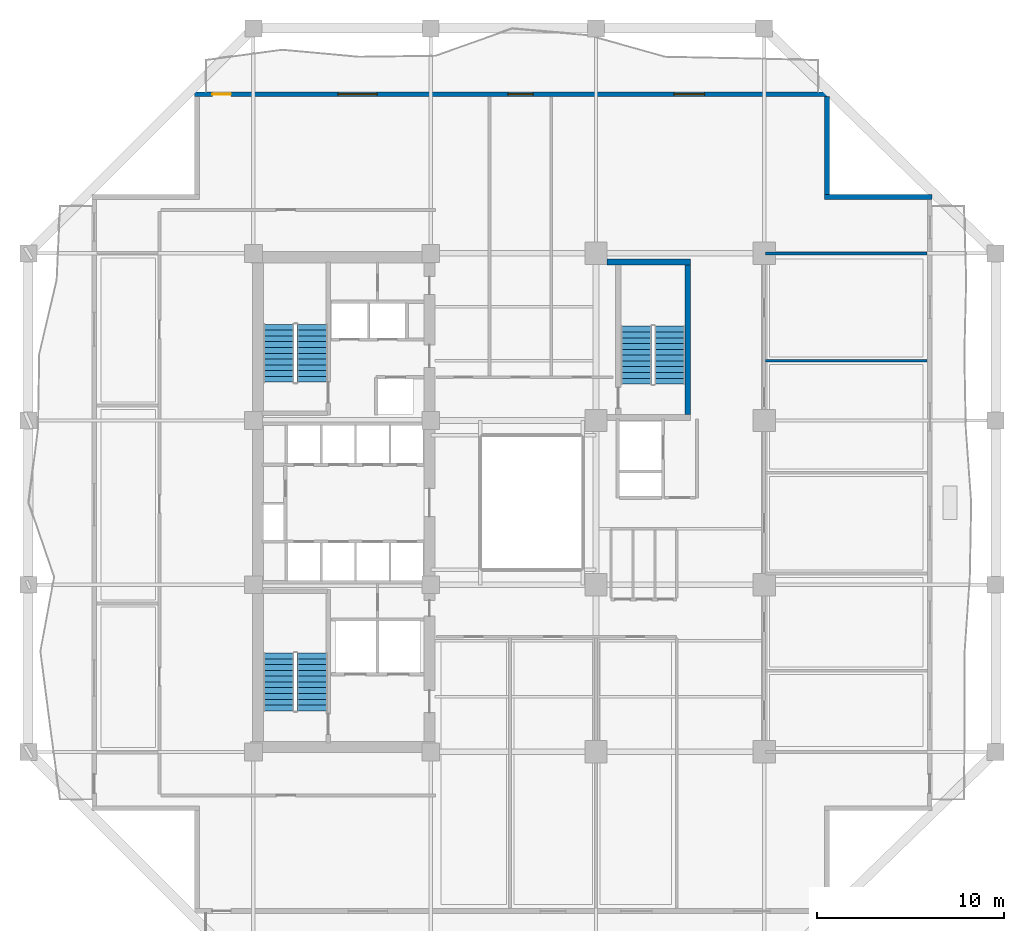
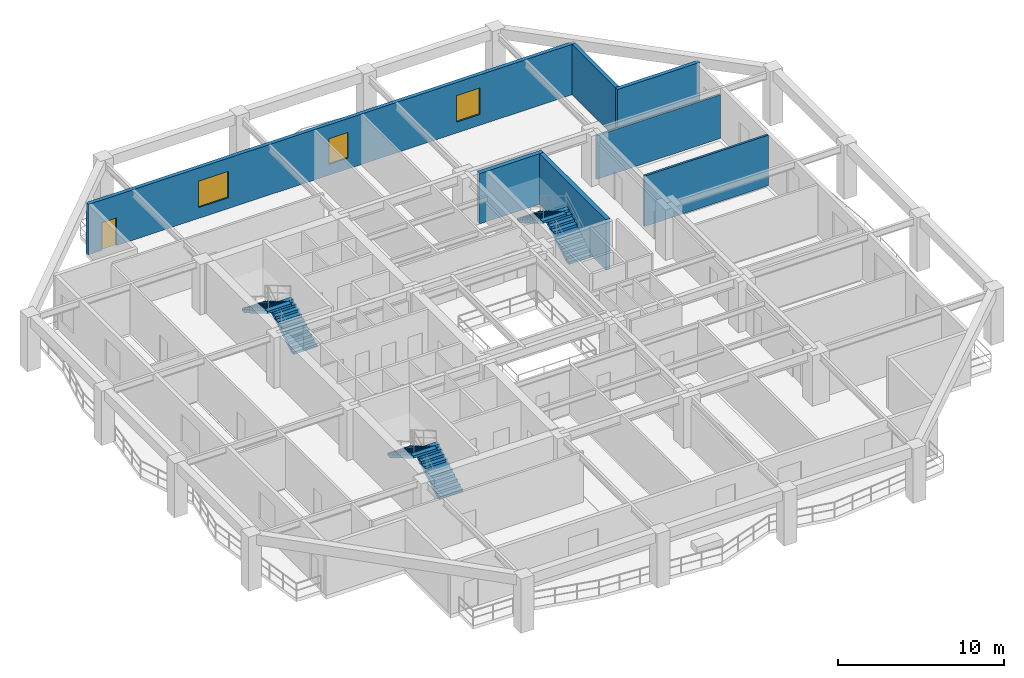
# One storey, part 6 of 13: 7 walls, 6 stair flights, 3 windows, 1 door, 4 openings, 3 elements without a shape of their own.
"""IFC4 building model written with IfcOpenShell, lengths in metres."""

from ifc_helpers import new_model, si_unit, direction, frame, frame_2d, origin, place, context, subcontext, project, spatial, polyline, rectangle, outline, extrude, material, layer, layer_set, type_object, element, fill, aggregate, save


model = new_model("IFC4")

# Units and contexts
model_context = context("Model", 3, precision=1e-05, world=origin(), true_north=direction((0.0, 1.0)))
body_context = subcontext(model_context, "Body", "Model", "MODEL_VIEW")
ifc_project = project(units=[si_unit("LENGTHUNIT", "METRE"), si_unit("AREAUNIT", "SQUARE_METRE"), si_unit("VOLUMEUNIT", "CUBIC_METRE"), si_unit("PLANEANGLEUNIT", "RADIAN"), si_unit("MASSUNIT", "GRAM", prefix="KILO")], contexts=[model_context])

# Site, building, storey
site_placement = place(None, origin())
site = spatial("IfcSite", under=ifc_project, at=site_placement, CompositionType="ELEMENT")
building_placement = place(site_placement, origin())
building = spatial("IfcBuilding", under=site, at=building_placement, Name="Kundavana Baori Tower", CompositionType="ELEMENT")
storey_placement = place(building_placement, frame((0.0, 0.0, 58.0)))
storey = spatial("IfcBuildingStorey", under=building, at=storey_placement, Name="L13", CompositionType="ELEMENT", Elevation=58.0)

# Walls
ifc_material_1 = material(Name="Kiln-Fired Terracotta Brick-Slip Masonry on Concrete C40/50", Category="masonry")
ifc_layer_1 = layer(ifc_material_1, 0.260009765625, Name="WL-EXT-BRK-260")
ifc_layer_set_1 = layer_set([ifc_layer_1], Name="Kiln-Fired Terracotta Brick-Slip Masonry on Concrete C40/50")
wall_type_1 = type_object("IfcWallType", Name="WL-EXT-BRK-260", PredefinedType="SOLIDWALL", material=ifc_layer_set_1)
wall_1_placement = place(storey_placement, frame((51.800048828125, 44.969970703125, 0.0), z_axis=(0.0, 0.0, 1.0), x_axis=(-1.0, 0.0, 0.0)))
element("IfcWall", 1, at=wall_1_placement, inside=storey, type_object=wall_type_1, Name="L13 Exterior Insulated Facade Wall 05", PredefinedType="SOLIDWALL", context=body_context, shape_type="SweptSolid", body=[
    extrude(rectangle(XDim=5.760009765625, YDim=0.260009765625, at=frame_2d((2.8798828125, 0.0))), origin(), (0.0, 0.0, 1.0), 3.719970703125),
])
wall_2_placement = place(storey_placement, frame((46.169921875, 45.10009765625, 0.0), z_axis=(0.0, 0.0, 1.0), x_axis=(0.0, 1.0, 0.0)))
element("IfcWall", 2, at=wall_2_placement, inside=storey, type_object=wall_type_1, Name="L13 Exterior Insulated Facade Wall 06", PredefinedType="SOLIDWALL", context=body_context, shape_type="SweptSolid", body=[
    extrude(rectangle(XDim=5.239990234375, YDim=0.260009765625, at=frame_2d((2.6201171875, 0.0))), origin(), (0.0, 0.0, 1.0), 3.719970703125),
])

# Wall, openings, door, windows
wall_3_placement = place(storey_placement, frame((46.300048828125, 50.469970703125, 0.0), z_axis=(0.0, 0.0, 1.0), x_axis=(-1.0, 0.0, 0.0)))
wall_3 = element("IfcWall", 3, at=wall_3_placement, inside=storey, type_object=wall_type_1, Name="L13 Exterior Insulated Facade Wall 07", PredefinedType="SOLIDWALL", context=body_context, shape_type="SweptSolid", body=[
    extrude(rectangle(XDim=34.0, YDim=0.260009765625, at=frame_2d((17.0, 0.0))), origin(), (0.0, 0.0, 1.0), 3.719970703125),
])
opening_1_placement = place(wall_3_placement, frame((32.050048828125, 0.0, 0.0)))
opening_1 = element("IfcOpeningElement", 4, at=opening_1_placement, cuts=wall_3, Name="Opening BD-1", PredefinedType="OPENING", context=body_context, shape_type="SweptSolid", body=[
    extrude(rectangle(XDim=1.0, YDim=2.050048828125, at=frame_2d((0.5, 1.02490234375))), frame((0.0, 0.14013671875, 0.0), z_axis=(0.0, -1.0, 0.0), x_axis=(1.0, 0.0, 0.0)), (0.0, 0.0, 1.0), 0.280029296875),
])
opening_2_placement = place(wall_3_placement, frame((24.219970703125, 0.0, 0.800048828125)))
opening_2 = element("IfcOpeningElement", 5, at=opening_2_placement, cuts=wall_3, Name="Opening W-05", PredefinedType="OPENING", context=body_context, shape_type="SweptSolid", body=[
    extrude(rectangle(XDim=2.10009765625, YDim=1.949951171875, at=frame_2d((1.050048828125, 0.97509765625))), frame((0.0, 0.14013671875, 0.0), z_axis=(0.0, -1.0, 0.0), x_axis=(1.0, 0.0, 0.0)), (0.0, 0.0, 1.0), 0.280029296875),
])
opening_3_placement = place(wall_3_placement, frame((15.875, 0.0, 0.800048828125)))
opening_3 = element("IfcOpeningElement", 6, at=opening_3_placement, cuts=wall_3, Name="Opening W-07", PredefinedType="OPENING", context=body_context, shape_type="SweptSolid", body=[
    extrude(rectangle(XDim=1.35009765625, YDim=1.89990234375, at=frame_2d((0.675048828125, 0.949951171875))), frame((0.0, 0.14013671875, 0.0), z_axis=(0.0, -1.0, 0.0), x_axis=(1.0, 0.0, 0.0)), (0.0, 0.0, 1.0), 0.280029296875),
])
opening_4_placement = place(wall_3_placement, frame((6.679931640625, 0.0, 0.800048828125)))
opening_4 = element("IfcOpeningElement", 7, at=opening_4_placement, cuts=wall_3, Name="Opening W-08", PredefinedType="OPENING", context=body_context, shape_type="SweptSolid", body=[
    extrude(rectangle(XDim=1.64990234375, YDim=1.949951171875, at=frame_2d((0.824951171875, 0.97509765625))), frame((0.0, 0.14013671875, 0.0), z_axis=(0.0, -1.0, 0.0), x_axis=(1.0, 0.0, 0.0)), (0.0, 0.0, 1.0), 0.280029296875),
])
ifc_material_2 = material(Name="Architectural Patinated Bronze Metalwork")
door_type = type_object("IfcDoorType", Name="DR-EXT-LOG-1000", OperationType="NOTDEFINED", PredefinedType="DOOR", material=ifc_material_2)
door_placement = place(opening_1_placement, frame((1.0, 0.0, 0.0), z_axis=(0.0, 0.0, 1.0), x_axis=(-1.0, 0.0, 0.0)))
door = element("IfcDoor", 8, at=door_placement, inside=storey, type_object=door_type, Name="L13 Loggia Balcony Access Door N", OperationType="SINGLE_SWING_LEFT", OverallHeight=2.050048828125, OverallWidth=1.0, PredefinedType="DOOR", context=body_context, shape_type="SweptSolid", body=[
    extrude(rectangle(XDim=1.0, YDim=2.050048828125, at=frame_2d((0.5, 1.02490234375))), frame((0.0, 0.02490234375, 0.0), z_axis=(0.0, -1.0, 0.0), x_axis=(1.0, 0.0, 0.0)), (0.0, 0.0, 1.0), 0.050048828125),
])
fill(opening_1, door)
ifc_material_3 = material(Name="Double-Glazed Solar-Control Low-E Insulated Glass", Category="glass")
window_type_1 = type_object("IfcWindowType", Name="WIN-LOG-1350x1900", PartitioningType="SINGLE_PANEL", PredefinedType="WINDOW", material=ifc_material_3)
window_1_placement = place(opening_3_placement, origin())
window_1 = element("IfcWindow", 9, at=window_1_placement, inside=storey, type_object=window_type_1, Name="L13 Recessed Loggia Window N-2", OverallHeight=1.89990234375, OverallWidth=1.35009765625, PartitioningType="SINGLE_PANEL", PredefinedType="WINDOW", context=body_context, shape_type="SweptSolid", body=[
    extrude(rectangle(XDim=1.35009765625, YDim=1.89990234375, at=frame_2d((0.675048828125, 0.949951171875))), frame((0.0, 0.030029296875, 0.0), z_axis=(0.0, -1.0, 0.0), x_axis=(1.0, 0.0, 0.0)), (0.0, 0.0, 1.0), 0.06005859375),
])
fill(opening_3, window_1)
ifc_material_4 = material(Name="Double-Glazed Solar-Control Low-E Insulated Glass", Category="glass")
window_type_2 = type_object("IfcWindowType", Name="WIN-LOG-1650x1950", PartitioningType="SINGLE_PANEL", PredefinedType="WINDOW", material=ifc_material_4)
window_2_placement = place(opening_4_placement, origin())
window_2 = element("IfcWindow", 10, at=window_2_placement, inside=storey, type_object=window_type_2, Name="L13 Recessed Loggia Window N-3", OverallHeight=1.949951171875, OverallWidth=1.64990234375, PartitioningType="SINGLE_PANEL", PredefinedType="WINDOW", context=body_context, shape_type="SweptSolid", body=[
    extrude(rectangle(XDim=1.64990234375, YDim=1.949951171875, at=frame_2d((0.824951171875, 0.97509765625))), frame((0.0, 0.030029296875, 0.0), z_axis=(0.0, -1.0, 0.0), x_axis=(1.0, 0.0, 0.0)), (0.0, 0.0, 1.0), 0.06005859375),
])
fill(opening_4, window_2)
ifc_material_5 = material(Name="Double-Glazed Solar-Control Low-E Insulated Glass", Category="glass")
window_type_3 = type_object("IfcWindowType", Name="WIN-LOG-2100x1950", PartitioningType="SINGLE_PANEL", PredefinedType="WINDOW", material=ifc_material_5)
window_3_placement = place(opening_2_placement, origin())
window_3 = element("IfcWindow", 11, at=window_3_placement, inside=storey, type_object=window_type_3, Name="L13 Recessed Loggia Window N-1", OverallHeight=1.949951171875, OverallWidth=2.10009765625, PartitioningType="SINGLE_PANEL", PredefinedType="WINDOW", context=body_context, shape_type="SweptSolid", body=[
    extrude(rectangle(XDim=2.10009765625, YDim=1.949951171875, at=frame_2d((1.050048828125, 0.97509765625))), frame((0.0, 0.030029296875, 0.0), z_axis=(0.0, -1.0, 0.0), x_axis=(1.0, 0.0, 0.0)), (0.0, 0.0, 1.0), 0.06005859375),
])
fill(opening_2, window_3)

# Walls
ifc_material_6 = material(Name="Fire-Rated Gypsum Drywall on Galvanised Steel Studs", Category="steel")
ifc_layer_2 = layer(ifc_material_6, 0.14990234375, Name="WL-PART-150")
ifc_layer_set_2 = layer_set([ifc_layer_2], Name="Fire-Rated Gypsum Drywall on Galvanised Steel Studs")
wall_type_2 = type_object("IfcWallType", Name="WL-PART-150", PredefinedType="PARTITIONING", material=ifc_layer_set_2)
wall_4_placement = place(storey_placement, frame((42.8798828125, 41.949951171875, 0.0), z_axis=(0.0, 0.0, 1.0), x_axis=(1.0, 0.0, 0.0)))
element("IfcWall", 12, at=wall_4_placement, inside=storey, type_object=wall_type_2, Name="WL-L13-OFEN", PredefinedType="PARTITIONING", context=body_context, shape_type="SweptSolid", body=[
    extrude(rectangle(XDim=8.64013671875, YDim=0.14990234375, at=frame_2d((4.320068359375, 0.0))), origin(), (0.0, 0.0, 1.0), 3.219970703125),
])
wall_5_placement = place(storey_placement, frame((42.8798828125, 36.199951171875, 0.0), z_axis=(0.0, 0.0, 1.0), x_axis=(1.0, 0.0, 0.0)))
element("IfcWall", 13, at=wall_5_placement, inside=storey, type_object=wall_type_2, Name="WL-L13-ED4", PredefinedType="PARTITIONING", context=body_context, shape_type="SweptSolid", body=[
    extrude(rectangle(XDim=8.64013671875, YDim=0.14990234375, at=frame_2d((4.320068359375, 0.0))), origin(), (0.0, 0.0, 1.0), 3.719970703125),
])
ifc_material_7 = material(Name="Concrete C50/60", Category="concrete")
ifc_layer_3 = layer(ifc_material_7, 0.300048828125, Name="WL-ST3-300")
ifc_layer_set_3 = layer_set([ifc_layer_3], Name="Concrete C50/60")
wall_type_3 = type_object("IfcWallType", Name="WL-ST3-300", PredefinedType="SHEAR", material=ifc_layer_set_3)
wall_6_placement = place(storey_placement, frame((34.39990234375, 41.489990234375, 0.0), z_axis=(0.0, 0.0, 1.0), x_axis=(1.0, 0.0, 0.0)))
element("IfcWall", 14, at=wall_6_placement, inside=storey, type_object=wall_type_3, Name="L13 Stair ST3 North Shear Wall", PredefinedType="SHEAR", context=body_context, shape_type="SweptSolid", body=[
    extrude(rectangle(XDim=4.47021484375, YDim=0.300048828125, at=frame_2d((2.235107421875, 0.0))), origin(), (0.0, 0.0, 1.0), 3.719970703125),
])
wall_7_placement = place(storey_placement, frame((38.719970703125, 33.31005859375, 0.0), z_axis=(0.0, 0.0, 1.0), x_axis=(0.0, 1.0, 0.0)))
element("IfcWall", 15, at=wall_7_placement, inside=storey, type_object=wall_type_3, Name="L13 Stair ST3 East Shear Wall", PredefinedType="SHEAR", context=body_context, shape_type="SweptSolid", body=[
    extrude(rectangle(XDim=8.030029296875, YDim=0.300048828125, at=frame_2d((4.01513671875, 0.0))), origin(), (0.0, 0.0, 1.0), 3.719970703125),
])

# Stair, stair flights
ifc_material_8 = material(Name="Concrete C40/50", Category="concrete")
stair_type = type_object("IfcStairType", Name="STR-DOG-1650", PredefinedType="HALF_TURN_STAIR", material=ifc_material_8)
stair_1_placement = place(storey_placement, origin())
stair_1 = element("IfcStair", 16, at=stair_1_placement, inside=storey, type_object=stair_type, Name="L13 Protected Exit Stair ST1", PredefinedType="HALF_TURN_STAIR")
ifc_material_9 = material(Name="Concrete C40/50", Category="concrete")
stair_flight_type = type_object("IfcStairFlightType", Name="SFL-RC-1650", PredefinedType="STRAIGHT", material=ifc_material_9)
stair_flight_1_placement = place(storey_placement, frame((18.614990234375, 17.449951171875, 0.0), z_axis=(0.0, 0.0, 1.0), x_axis=(0.0, 1.0, 0.0)))
stair_flight_1 = element("IfcStairFlight", 17, at=stair_flight_1_placement, type_object=stair_flight_type, Name="ST1 flight 1", NumberOfRisers=11, NumberOfTreads=10, PredefinedType="STRAIGHT", RiserHeight=0.181818182, TreadLength=0.31, context=body_context, shape_type="SweptSolid", body=[
    extrude(outline(polyline([(0.0, 0.0), (0.0, 0.181884765625), (0.31005859375, 0.181884765625), (0.31005859375, 0.363525390625), (0.6201171875, 0.363525390625), (0.6201171875, 0.54541015625), (0.929931640625, 0.54541015625), (0.929931640625, 0.727294921875), (1.239990234375, 0.727294921875), (1.239990234375, 0.9091796875), (1.550048828125, 0.9091796875), (1.550048828125, 1.0908203125), (1.860107421875, 1.0908203125), (1.860107421875, 1.272705078125), (2.169921875, 1.272705078125), (2.169921875, 1.45458984375), (2.47998046875, 1.45458984375), (2.47998046875, 1.636474609375), (2.7900390625, 1.636474609375), (2.7900390625, 1.818115234375), (3.10009765625, 1.818115234375), (3.10009765625, 2.0), (3.10009765625, 1.644287109375), (0.29638671875, 0.0), (0.0, 0.0)])), frame((0.0, 0.824951171875, 0.0), z_axis=(0.0, -1.0, 0.0), x_axis=(1.0, 0.0, 0.0)), (0.0, 0.0, 1.0), 1.64990234375),
])
stair_flight_2_placement = place(storey_placement, frame((16.804931640625, 20.550048828125, 2.0), z_axis=(0.0, 0.0, 1.0), x_axis=(0.0, -1.0, 0.0)))
stair_flight_2 = element("IfcStairFlight", 18, at=stair_flight_2_placement, type_object=stair_flight_type, Name="ST1 flight 2", NumberOfRisers=11, NumberOfTreads=10, PredefinedType="STRAIGHT", RiserHeight=0.181818182, TreadLength=0.31, context=body_context, shape_type="SweptSolid", body=[
    extrude(outline(polyline([(0.0, 0.0), (0.0, 0.181884765625), (0.31005859375, 0.181884765625), (0.31005859375, 0.363525390625), (0.6201171875, 0.363525390625), (0.6201171875, 0.54541015625), (0.929931640625, 0.54541015625), (0.929931640625, 0.727294921875), (1.239990234375, 0.727294921875), (1.239990234375, 0.9091796875), (1.550048828125, 0.9091796875), (1.550048828125, 1.0908203125), (1.860107421875, 1.0908203125), (1.860107421875, 1.272705078125), (2.169921875, 1.272705078125), (2.169921875, 1.45458984375), (2.47998046875, 1.45458984375), (2.47998046875, 1.636474609375), (2.7900390625, 1.636474609375), (2.7900390625, 1.818115234375), (3.10009765625, 1.818115234375), (3.10009765625, 2.0), (3.10009765625, 1.644287109375), (0.29638671875, 0.0), (0.0, 0.0)])), frame((0.0, 0.824951171875, 0.0), z_axis=(0.0, -1.0, 0.0), x_axis=(1.0, 0.0, 0.0)), (0.0, 0.0, 1.0), 1.64990234375),
])
aggregate(stair_1, [stair_flight_1, stair_flight_2])

stair_2_placement = place(storey_placement, origin())
stair_2 = element("IfcStair", 19, at=stair_2_placement, inside=storey, type_object=stair_type, Name="L13 Protected Exit Stair ST2", PredefinedType="HALF_TURN_STAIR")
stair_flight_3_placement = place(storey_placement, frame((18.614990234375, 35.050048828125, 0.0), z_axis=(0.0, 0.0, 1.0), x_axis=(0.0, 1.0, 0.0)))
stair_flight_3 = element("IfcStairFlight", 20, at=stair_flight_3_placement, type_object=stair_flight_type, Name="ST2 flight 1", NumberOfRisers=11, NumberOfTreads=10, PredefinedType="STRAIGHT", RiserHeight=0.181818182, TreadLength=0.31, context=body_context, shape_type="SweptSolid", body=[
    extrude(outline(polyline([(0.0, 0.0), (0.0, 0.181884765625), (0.31005859375, 0.181884765625), (0.31005859375, 0.363525390625), (0.6201171875, 0.363525390625), (0.6201171875, 0.54541015625), (0.929931640625, 0.54541015625), (0.929931640625, 0.727294921875), (1.239990234375, 0.727294921875), (1.239990234375, 0.9091796875), (1.550048828125, 0.9091796875), (1.550048828125, 1.0908203125), (1.860107421875, 1.0908203125), (1.860107421875, 1.272705078125), (2.169921875, 1.272705078125), (2.169921875, 1.45458984375), (2.47998046875, 1.45458984375), (2.47998046875, 1.636474609375), (2.7900390625, 1.636474609375), (2.7900390625, 1.818115234375), (3.10009765625, 1.818115234375), (3.10009765625, 2.0), (3.10009765625, 1.644287109375), (0.29638671875, 0.0), (0.0, 0.0)])), frame((0.0, 0.824951171875, 0.0), z_axis=(0.0, -1.0, 0.0), x_axis=(1.0, 0.0, 0.0)), (0.0, 0.0, 1.0), 1.64990234375),
])
stair_flight_4_placement = place(storey_placement, frame((16.804931640625, 38.14990234375, 2.0), z_axis=(0.0, 0.0, 1.0), x_axis=(0.0, -1.0, 0.0)))
stair_flight_4 = element("IfcStairFlight", 21, at=stair_flight_4_placement, type_object=stair_flight_type, Name="ST2 flight 2", NumberOfRisers=11, NumberOfTreads=10, PredefinedType="STRAIGHT", RiserHeight=0.181818182, TreadLength=0.31, context=body_context, shape_type="SweptSolid", body=[
    extrude(outline(polyline([(0.0, 0.0), (0.0, 0.181884765625), (0.31005859375, 0.181884765625), (0.31005859375, 0.363525390625), (0.6201171875, 0.363525390625), (0.6201171875, 0.54541015625), (0.929931640625, 0.54541015625), (0.929931640625, 0.727294921875), (1.239990234375, 0.727294921875), (1.239990234375, 0.9091796875), (1.550048828125, 0.9091796875), (1.550048828125, 1.0908203125), (1.860107421875, 1.0908203125), (1.860107421875, 1.272705078125), (2.169921875, 1.272705078125), (2.169921875, 1.45458984375), (2.47998046875, 1.45458984375), (2.47998046875, 1.636474609375), (2.7900390625, 1.636474609375), (2.7900390625, 1.818115234375), (3.10009765625, 1.818115234375), (3.10009765625, 2.0), (3.10009765625, 1.644287109375), (0.29638671875, 0.0), (0.0, 0.0)])), frame((0.0, 0.824951171875, 0.0), z_axis=(0.0, -1.0, 0.0), x_axis=(1.0, 0.0, 0.0)), (0.0, 0.0, 1.0), 1.64990234375),
])
aggregate(stair_2, [stair_flight_3, stair_flight_4])

stair_3_placement = place(storey_placement, origin())
stair_3 = element("IfcStair", 22, at=stair_3_placement, inside=storey, type_object=stair_type, Name="L13 Protected Exit Stair ST3", PredefinedType="HALF_TURN_STAIR")
stair_flight_5_placement = place(storey_placement, frame((37.7548828125, 34.949951171875, 0.0), z_axis=(0.0, 0.0, 1.0), x_axis=(0.0, 1.0, 0.0)))
stair_flight_5 = element("IfcStairFlight", 23, at=stair_flight_5_placement, type_object=stair_flight_type, Name="ST3 flight 1", NumberOfRisers=11, NumberOfTreads=10, PredefinedType="STRAIGHT", RiserHeight=0.181818182, TreadLength=0.31, context=body_context, shape_type="SweptSolid", body=[
    extrude(outline(polyline([(0.0, 0.0), (0.0, 0.181884765625), (0.31005859375, 0.181884765625), (0.31005859375, 0.363525390625), (0.6201171875, 0.363525390625), (0.6201171875, 0.54541015625), (0.929931640625, 0.54541015625), (0.929931640625, 0.727294921875), (1.239990234375, 0.727294921875), (1.239990234375, 0.9091796875), (1.550048828125, 0.9091796875), (1.550048828125, 1.0908203125), (1.860107421875, 1.0908203125), (1.860107421875, 1.272705078125), (2.169921875, 1.272705078125), (2.169921875, 1.45458984375), (2.47998046875, 1.45458984375), (2.47998046875, 1.636474609375), (2.7900390625, 1.636474609375), (2.7900390625, 1.818115234375), (3.10009765625, 1.818115234375), (3.10009765625, 2.0), (3.10009765625, 1.644287109375), (0.29638671875, 0.0), (0.0, 0.0)])), frame((0.0, 0.824951171875, 0.0), z_axis=(0.0, -1.0, 0.0), x_axis=(1.0, 0.0, 0.0)), (0.0, 0.0, 1.0), 1.64990234375),
])
stair_flight_6_placement = place(storey_placement, frame((35.945068359375, 38.050048828125, 2.0), z_axis=(0.0, 0.0, 1.0), x_axis=(0.0, -1.0, 0.0)))
stair_flight_6 = element("IfcStairFlight", 24, at=stair_flight_6_placement, type_object=stair_flight_type, Name="ST3 flight 2", NumberOfRisers=11, NumberOfTreads=10, PredefinedType="STRAIGHT", RiserHeight=0.181818182, TreadLength=0.31, context=body_context, shape_type="SweptSolid", body=[
    extrude(outline(polyline([(0.0, 0.0), (0.0, 0.181884765625), (0.31005859375, 0.181884765625), (0.31005859375, 0.363525390625), (0.6201171875, 0.363525390625), (0.6201171875, 0.54541015625), (0.929931640625, 0.54541015625), (0.929931640625, 0.727294921875), (1.239990234375, 0.727294921875), (1.239990234375, 0.9091796875), (1.550048828125, 0.9091796875), (1.550048828125, 1.0908203125), (1.860107421875, 1.0908203125), (1.860107421875, 1.272705078125), (2.169921875, 1.272705078125), (2.169921875, 1.45458984375), (2.47998046875, 1.45458984375), (2.47998046875, 1.636474609375), (2.7900390625, 1.636474609375), (2.7900390625, 1.818115234375), (3.10009765625, 1.818115234375), (3.10009765625, 2.0), (3.10009765625, 1.644287109375), (0.29638671875, 0.0), (0.0, 0.0)])), frame((0.0, 0.824951171875, 0.0), z_axis=(0.0, -1.0, 0.0), x_axis=(1.0, 0.0, 0.0)), (0.0, 0.0, 1.0), 1.64990234375),
])
aggregate(stair_3, [stair_flight_5, stair_flight_6])

save(model, "model.ifc")
